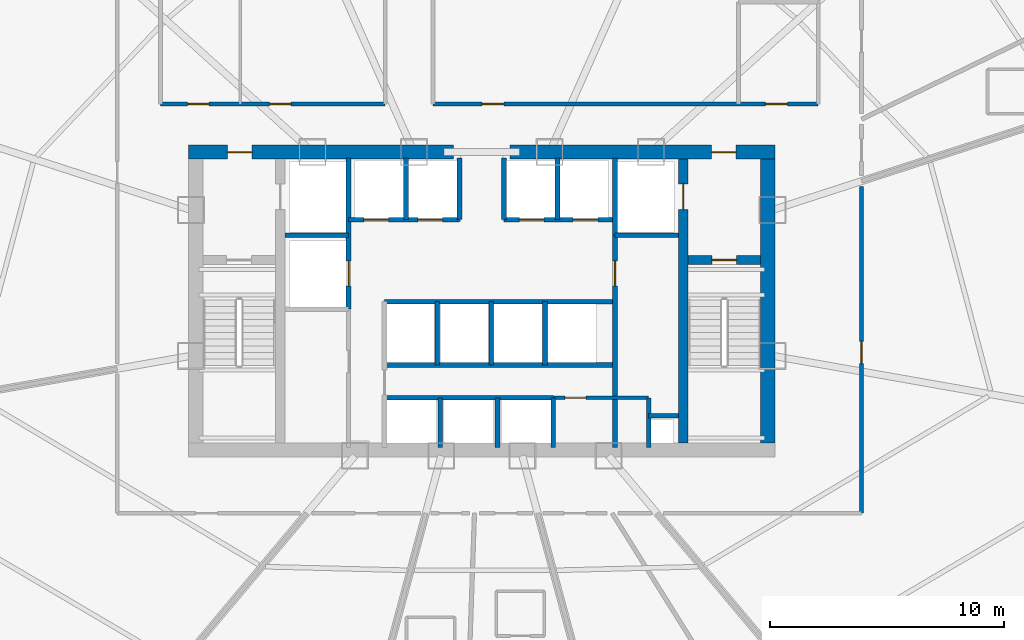
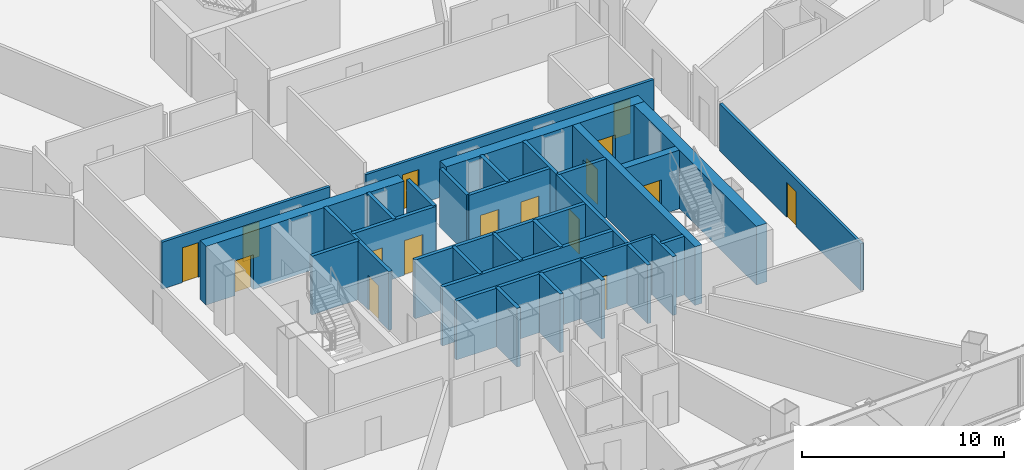
# One storey, part 30 of 37: 31 walls, 16 doors, 16 openings.
"""IFC4 building model written with IfcOpenShell, lengths in metres."""

from ifc_helpers import new_model, si_unit, direction, frame, frame_2d, origin, origin_with_axes, place, context, subcontext, project, spatial, rectangle, extrude, source, transform, mapped, material, layer, layer_set, type_object, element, fill, save


model = new_model("IFC4")

# Units and contexts
model_context = context("Model", 3, precision=1e-05, world=origin(), true_north=direction((0.0, 1.0)))
body_context = subcontext(model_context, "Body", "Model", "MODEL_VIEW")
ifc_project = project(units=[si_unit("LENGTHUNIT", "METRE"), si_unit("AREAUNIT", "SQUARE_METRE"), si_unit("VOLUMEUNIT", "CUBIC_METRE"), si_unit("PLANEANGLEUNIT", "RADIAN"), si_unit("MASSUNIT", "GRAM", prefix="KILO"), si_unit("THERMODYNAMICTEMPERATUREUNIT", "KELVIN"), si_unit("POWERUNIT", "WATT")], contexts=[model_context])

# Site, building, storey
site_placement = place(None, origin())
site = spatial("IfcSite", under=ifc_project, at=site_placement, CompositionType="ELEMENT")
building_placement = place(site_placement, origin())
building = spatial("IfcBuilding", under=site, at=building_placement, Name="Yunzhuo Pagoda Commons", CompositionType="ELEMENT")
storey_placement = place(building_placement, frame((0.0, 0.0, 88.780029296875)))
storey = spatial("IfcBuildingStorey", under=building, at=storey_placement, Name="L22", CompositionType="ELEMENT", Elevation=88.780029296875)

# Wall, opening, door
ifc_material_1 = material(Name="Concrete C60", Category="concrete")
ifc_layer_1 = layer(ifc_material_1, 0.60009765625)
ifc_layer_set_1 = layer_set([ifc_layer_1], Name="Concrete C60")
wall_type_1 = type_object("IfcWallType", Name="W-C02 Mid Core Shear Wall 600", PredefinedType="SHEAR", material=ifc_layer_set_1)
wall_1_placement = place(storey_placement, frame((35.5, 40.199951171875, 0.0), z_axis=(0.0, 0.0, 1.0), x_axis=(1.0, 0.0, 0.0)))
wall_1 = element("IfcWall", 1, at=wall_1_placement, inside=storey, type_object=wall_type_1, Name="L22 core shear wall NW", PredefinedType="SHEAR", context=body_context, shape_type="SweptSolid", body=[
    extrude(rectangle(XDim=11.300048828125, YDim=0.60009765625, at=frame_2d((5.64990234375, 0.0))), origin(), (0.0, 0.0, 1.0), 3.5400390625),
])
opening_1_placement = place(wall_1_placement, frame((1.64990234375, 0.0, 0.0)))
opening_1 = element("IfcOpeningElement", 2, at=opening_1_placement, cuts=wall_1, Name="Opening D-02", PredefinedType="OPENING", context=body_context, shape_type="SweptSolid", body=[
    extrude(rectangle(XDim=1.050048828125, YDim=2.10009765625, at=frame_2d((0.52490234375, 1.050048828125))), frame((0.0, 0.31005859375, 0.0), z_axis=(0.0, -1.0, 0.0), x_axis=(1.0, 0.0, 0.0)), (0.0, 0.0, 1.0), 0.6201171875),
])
ifc_material_2 = material(Name="Galvanized fire-resisting metal leaf")
door_type_1 = type_object("IfcDoorType", Name="D-02 Firefighting Lobby & Refuge Fire Door 1050x2100", OperationType="NOTDEFINED", PredefinedType="DOOR", material=ifc_material_2)
shared_shape_1 = source(origin(), body_context, "Body", "SweptSolid", [
    extrude(rectangle(XDim=1.050048828125, YDim=2.10009765625, at=frame_2d((0.52490234375, 1.050048828125))), frame((0.0, 0.02490234375, 0.0), z_axis=(0.0, -1.0, 0.0), x_axis=(1.0, 0.0, 0.0)), (0.0, 0.0, 1.0), 0.050048828125),
])
door_1_placement = place(opening_1_placement, frame((1.050048828125, 0.0, 0.0), z_axis=(0.0, 0.0, 1.0), x_axis=(-1.0, 0.0, 0.0)))
door_1 = element("IfcDoor", 3, at=door_1_placement, inside=storey, type_object=door_type_1, Name="L22 Firefighting Lobby 1 fire door", OperationType="SINGLE_SWING_LEFT", OverallHeight=2.10009765625, OverallWidth=1.050048828125, PredefinedType="DOOR", context=body_context, shape_type="MappedRepresentation", body=[
    mapped(shared_shape_1, transform((0.0, 0.0, 0.0), scale=1.0)),
])
fill(opening_1, door_1)

wall_2_placement = place(storey_placement, frame((49.199951171875, 40.199951171875, 0.0), z_axis=(0.0, 0.0, 1.0), x_axis=(1.0, 0.0, 0.0)))
wall_2 = element("IfcWall", 4, at=wall_2_placement, inside=storey, type_object=wall_type_1, Name="L22 core shear wall NE", PredefinedType="SHEAR", context=body_context, shape_type="SweptSolid", body=[
    extrude(rectangle(XDim=11.300048828125, YDim=0.60009765625, at=frame_2d((5.64990234375, 0.0))), origin(), (0.0, 0.0, 1.0), 3.5400390625),
])
opening_2_placement = place(wall_2_placement, frame((8.60009765625, 0.0, 0.0)))
opening_2 = element("IfcOpeningElement", 5, at=opening_2_placement, cuts=wall_2, Name="Opening D-02", PredefinedType="OPENING", context=body_context, shape_type="SweptSolid", body=[
    extrude(rectangle(XDim=1.050048828125, YDim=2.10009765625, at=frame_2d((0.52490234375, 1.050048828125))), frame((0.0, 0.31005859375, 0.0), z_axis=(0.0, -1.0, 0.0), x_axis=(1.0, 0.0, 0.0)), (0.0, 0.0, 1.0), 0.6201171875),
])
door_2_placement = place(opening_2_placement, frame((1.050048828125, 0.0, 0.0), z_axis=(0.0, 0.0, 1.0), x_axis=(-1.0, 0.0, 0.0)))
door_2 = element("IfcDoor", 6, at=door_2_placement, inside=storey, type_object=door_type_1, Name="L22 Firefighting Lobby 2 fire door", OperationType="SINGLE_SWING_RIGHT", OverallHeight=2.10009765625, OverallWidth=1.050048828125, PredefinedType="DOOR", context=body_context, shape_type="MappedRepresentation", body=[
    mapped(shared_shape_1, transform((0.0, 0.0, 0.0), scale=1.0)),
])
fill(opening_2, door_2)

# Wall
wall_3_placement = place(storey_placement, frame((60.199951171875, 27.800048828125, 0.0), z_axis=(0.0, 0.0, 1.0), x_axis=(0.0, 1.0, 0.0)))
element("IfcWall", 7, at=wall_3_placement, inside=storey, type_object=wall_type_1, Name="L22 core shear wall E", PredefinedType="SHEAR", context=body_context, shape_type="SweptSolid", body=[
    extrude(rectangle(XDim=12.099853515625, YDim=0.60009765625, at=frame_2d((6.0498046875, 0.0))), origin(), (0.0, 0.0, 1.0), 3.5400390625),
])

# Wall, opening, door
ifc_material_3 = material(Name="Gypsum plasterboard on acoustic stud")
ifc_layer_2 = layer(ifc_material_3, 0.159912109375)
ifc_layer_set_2 = layer_set([ifc_layer_2], Name="Gypsum plasterboard on acoustic stud")
wall_type_2 = type_object("IfcWallType", Name="W-COR1 Tower Rated Corridor Wall 160", PredefinedType="PARTITIONING", material=ifc_layer_set_2)
wall_4_placement = place(storey_placement, frame((51.050048828125, 29.719970703125, 0.0), z_axis=(0.0, 0.0, 1.0), x_axis=(1.0, 0.0, 0.0)))
wall_4 = element("IfcWall", 8, at=wall_4_placement, inside=storey, type_object=wall_type_2, Name="L22 interior wall IW-L22-CSES", PredefinedType="PARTITIONING", context=body_context, shape_type="SweptSolid", body=[
    extrude(rectangle(XDim=4.070068359375, YDim=0.159912109375, at=frame_2d((2.03515625, 0.0))), origin(), (0.0, 0.0, 1.0), 3.5400390625),
])
opening_3_placement = place(wall_4_placement, frame((0.5, 0.0, 0.0)))
opening_3 = element("IfcOpeningElement", 9, at=opening_3_placement, cuts=wall_4, Name="Opening D-03", PredefinedType="OPENING", context=body_context, shape_type="SweptSolid", body=[
    extrude(rectangle(XDim=0.89990234375, YDim=2.10009765625, at=frame_2d((0.449951171875, 1.050048828125))), frame((0.0, 0.08984375, 0.0), z_axis=(0.0, -1.0, 0.0), x_axis=(1.0, 0.0, 0.0)), (0.0, 0.0, 1.0), 0.179931640625),
])
door_type_2 = type_object("IfcDoorType", Name="D-03 Core Service Fire Door 900x2100", OperationType="NOTDEFINED", PredefinedType="DOOR", material=ifc_material_2)
shared_shape_2 = source(origin(), body_context, "Body", "SweptSolid", [
    extrude(rectangle(XDim=0.89990234375, YDim=2.10009765625, at=frame_2d((0.449951171875, 1.050048828125))), frame((0.0, 0.02490234375, 0.0), z_axis=(0.0, -1.0, 0.0), x_axis=(1.0, 0.0, 0.0)), (0.0, 0.0, 1.0), 0.050048828125),
])
door_3_placement = place(opening_3_placement, origin_with_axes())
door_3 = element("IfcDoor", 10, at=door_3_placement, inside=storey, type_object=door_type_2, Name="L22 cleaner store door", OperationType="SINGLE_SWING_LEFT", OverallHeight=2.10009765625, OverallWidth=0.89990234375, PredefinedType="DOOR", context=body_context, shape_type="MappedRepresentation", body=[
    mapped(shared_shape_2, transform((0.0, 0.0, 0.0), scale=1.0)),
])
fill(opening_3, door_3)

# Wall, openings, doors
wall_5_placement = place(storey_placement, frame((34.300048828125, 42.25, 0.0), z_axis=(0.0, 0.0, 1.0), x_axis=(1.0, 0.0, 0.0)))
wall_5 = element("IfcWall", 11, at=wall_5_placement, inside=storey, type_object=wall_type_2, Name="L22 interior wall IW-L22-ISLWS", PredefinedType="PARTITIONING", context=body_context, shape_type="SweptSolid", body=[
    extrude(rectangle(XDim=9.579833984375, YDim=0.159912109375, at=frame_2d((4.7900390625, 0.0))), origin(), (0.0, 0.0, 1.0), 2.840087890625),
])
opening_4_placement = place(wall_5_placement, frame((1.14990234375, 0.0, 0.0)))
opening_4 = element("IfcOpeningElement", 12, at=opening_4_placement, cuts=wall_5, Name="Opening D-04", PredefinedType="OPENING", context=body_context, shape_type="SweptSolid", body=[
    extrude(rectangle(XDim=0.919921875, YDim=2.10009765625, at=frame_2d((0.4599609375, 1.050048828125))), frame((0.0, 0.08984375, 0.0), z_axis=(0.0, -1.0, 0.0), x_axis=(1.0, 0.0, 0.0)), (0.0, 0.0, 1.0), 0.179931640625),
])
opening_5_placement = place(wall_5_placement, frame((4.64990234375, 0.0, 0.0)))
opening_5 = element("IfcOpeningElement", 13, at=opening_5_placement, cuts=wall_5, Name="Opening D-04", PredefinedType="OPENING", context=body_context, shape_type="SweptSolid", body=[
    extrude(rectangle(XDim=0.919921875, YDim=2.10009765625, at=frame_2d((0.4599609375, 1.050048828125))), frame((0.0, 0.08984375, 0.0), z_axis=(0.0, -1.0, 0.0), x_axis=(1.0, 0.0, 0.0)), (0.0, 0.0, 1.0), 0.179931640625),
])
ifc_material_4 = material(Name="Powder-coated aluminium and timber acoustic leaf", Category="wood")
door_type_3 = type_object("IfcDoorType", Name="D-04 Bedroom & Study Interior Door 920x2100", OperationType="NOTDEFINED", PredefinedType="DOOR", material=ifc_material_4)
shared_shape_3 = source(origin(), body_context, "Body", "SweptSolid", [
    extrude(rectangle(XDim=0.919921875, YDim=2.10009765625, at=frame_2d((0.4599609375, 1.050048828125))), frame((0.0, 0.02490234375, 0.0), z_axis=(0.0, -1.0, 0.0), x_axis=(1.0, 0.0, 0.0)), (0.0, 0.0, 1.0), 0.050048828125),
])
door_4_placement = place(opening_4_placement, frame((0.919921875, 0.0, 0.0), z_axis=(0.0, 0.0, 1.0), x_axis=(-1.0, 0.0, 0.0)))
door_4 = element("IfcDoor", 14, at=door_4_placement, inside=storey, type_object=door_type_3, Name="L22 laundry door", OperationType="SINGLE_SWING_LEFT", OverallHeight=2.10009765625, OverallWidth=0.919921875, PredefinedType="DOOR", context=body_context, shape_type="MappedRepresentation", body=[
    mapped(shared_shape_3, transform((0.0, 0.0, 0.0), scale=1.0)),
])
fill(opening_4, door_4)
door_5_placement = place(opening_5_placement, frame((0.919921875, 0.0, 0.0), z_axis=(0.0, 0.0, 1.0), x_axis=(-1.0, 0.0, 0.0)))
door_5 = element("IfcDoor", 15, at=door_5_placement, inside=storey, type_object=door_type_3, Name="L22 study commons W door", OperationType="SINGLE_SWING_RIGHT", OverallHeight=2.10009765625, OverallWidth=0.919921875, PredefinedType="DOOR", context=body_context, shape_type="MappedRepresentation", body=[
    mapped(shared_shape_3, transform((0.0, 0.0, 0.0), scale=1.0)),
])
fill(opening_5, door_5)

wall_6_placement = place(storey_placement, frame((45.919921875, 42.25, 0.0), z_axis=(0.0, 0.0, 1.0), x_axis=(1.0, 0.0, 0.0)))
wall_6 = element("IfcWall", 16, at=wall_6_placement, inside=storey, type_object=wall_type_2, Name="L22 interior wall IW-L22-ISLES", PredefinedType="PARTITIONING", context=body_context, shape_type="SweptSolid", body=[
    extrude(rectangle(XDim=16.43017578125, YDim=0.159912109375, at=frame_2d((8.215087890625, 0.0))), origin(), (0.0, 0.0, 1.0), 2.840087890625),
])
opening_6_placement = place(wall_6_placement, frame((2.10009765625, 0.0, 0.0)))
opening_6 = element("IfcOpeningElement", 17, at=opening_6_placement, cuts=wall_6, Name="Opening D-04", PredefinedType="OPENING", context=body_context, shape_type="SweptSolid", body=[
    extrude(rectangle(XDim=0.919921875, YDim=2.10009765625, at=frame_2d((0.4599609375, 1.050048828125))), frame((0.0, 0.08984375, 0.0), z_axis=(0.0, -1.0, 0.0), x_axis=(1.0, 0.0, 0.0)), (0.0, 0.0, 1.0), 0.179931640625),
])
opening_7_placement = place(wall_6_placement, frame((14.179931640625, 0.0, 0.0)))
opening_7 = element("IfcOpeningElement", 18, at=opening_7_placement, cuts=wall_6, Name="Opening D-11", PredefinedType="OPENING", context=body_context, shape_type="SweptSolid", body=[
    extrude(rectangle(XDim=0.93994140625, YDim=2.10009765625, at=frame_2d((0.469970703125, 1.050048828125))), frame((0.0, 0.08984375, 0.0), z_axis=(0.0, -1.0, 0.0), x_axis=(1.0, 0.0, 0.0)), (0.0, 0.0, 1.0), 0.179931640625),
])
door_type_4 = type_object("IfcDoorType", Name="D-11 Accessible Washroom Fire Door 940x2100", OperationType="NOTDEFINED", PredefinedType="DOOR", material=ifc_material_2)
shared_shape_4 = source(origin(), body_context, "Body", "SweptSolid", [
    extrude(rectangle(XDim=0.93994140625, YDim=2.10009765625, at=frame_2d((0.469970703125, 1.050048828125))), frame((0.0, 0.02490234375, 0.0), z_axis=(0.0, -1.0, 0.0), x_axis=(1.0, 0.0, 0.0)), (0.0, 0.0, 1.0), 0.050048828125),
])
door_6_placement = place(opening_7_placement, frame((0.93994140625, 0.0, 0.0), z_axis=(0.0, 0.0, 1.0), x_axis=(-1.0, 0.0, 0.0)))
door_6 = element("IfcDoor", 19, at=door_6_placement, inside=storey, type_object=door_type_4, Name="L22 accessible WC door", OperationType="SINGLE_SWING_RIGHT", OverallHeight=2.10009765625, OverallWidth=0.93994140625, PredefinedType="DOOR", context=body_context, shape_type="MappedRepresentation", body=[
    mapped(shared_shape_4, transform((0.0, 0.0, 0.0), scale=1.0)),
])
fill(opening_7, door_6)
door_7_placement = place(opening_6_placement, frame((0.919921875, 0.0, 0.0), z_axis=(0.0, 0.0, 1.0), x_axis=(-1.0, 0.0, 0.0)))
door_7 = element("IfcDoor", 20, at=door_7_placement, inside=storey, type_object=door_type_3, Name="L22 reading commons door", OperationType="SINGLE_SWING_LEFT", OverallHeight=2.10009765625, OverallWidth=0.919921875, PredefinedType="DOOR", context=body_context, shape_type="MappedRepresentation", body=[
    mapped(shared_shape_3, transform((0.0, 0.0, 0.0), scale=1.0)),
])
fill(opening_6, door_7)

# Wall, opening, door
wall_7_placement = place(storey_placement, frame((64.199951171875, 38.743896484375, 0.0), z_axis=(0.0, 0.0, 1.0), x_axis=(0.0, -1.0, 0.0)))
wall_7 = element("IfcWall", 21, at=wall_7_placement, inside=storey, type_object=wall_type_2, Name="L22 interior wall IW-L22-CWL14", PredefinedType="PARTITIONING", context=body_context, shape_type="SweptSolid", body=[
    extrude(rectangle(XDim=13.94384765625, YDim=0.159912109375, at=frame_2d((6.971923828125, 0.0))), origin(), (0.0, 0.0, 1.0), 2.840087890625),
])
opening_8_placement = place(wall_7_placement, frame((6.616943359375, 0.0, 0.0)))
opening_8 = element("IfcOpeningElement", 22, at=opening_8_placement, cuts=wall_7, Name="Opening D-06", PredefinedType="OPENING", context=body_context, shape_type="SweptSolid", body=[
    extrude(rectangle(XDim=0.949951171875, YDim=2.10009765625, at=frame_2d((0.47509765625, 1.050048828125))), frame((0.0, 0.08984375, 0.0), z_axis=(0.0, -1.0, 0.0), x_axis=(1.0, 0.0, 0.0)), (0.0, 0.0, 1.0), 0.179931640625),
])
door_type_5 = type_object("IfcDoorType", Name="D-06 Co-Living Suite Entrance Fire Door 950x2100", OperationType="NOTDEFINED", PredefinedType="DOOR", material=ifc_material_2)
shared_shape_5 = source(origin(), body_context, "Body", "SweptSolid", [
    extrude(rectangle(XDim=0.949951171875, YDim=2.10009765625, at=frame_2d((0.47509765625, 1.050048828125))), frame((0.0, 0.02490234375, 0.0), z_axis=(0.0, -1.0, 0.0), x_axis=(1.0, 0.0, 0.0)), (0.0, 0.0, 1.0), 0.050048828125),
])
door_8_placement = place(opening_8_placement, origin_with_axes())
door_8 = element("IfcDoor", 23, at=door_8_placement, inside=storey, type_object=door_type_5, Name="L22 Resident Co-Living Commons Hall door", OperationType="SINGLE_SWING_LEFT", OverallHeight=2.10009765625, OverallWidth=0.949951171875, PredefinedType="DOOR", context=body_context, shape_type="MappedRepresentation", body=[
    mapped(shared_shape_5, transform((0.0, 0.0, 0.0), scale=1.0)),
])
fill(opening_8, door_8)

ifc_layer_3 = layer(ifc_material_1, 0.39990234375)
ifc_layer_set_3 = layer_set([ifc_layer_3], Name="Concrete C60")
wall_type_3 = type_object("IfcWallType", Name="W-S01 Internal Core Shear Web 400", PredefinedType="SHEAR", material=ifc_layer_set_3)
wall_8_placement = place(storey_placement, frame((56.60009765625, 27.800048828125, 0.0), z_axis=(0.0, 0.0, 1.0), x_axis=(0.0, 1.0, 0.0)))
wall_8 = element("IfcWall", 24, at=wall_8_placement, inside=storey, type_object=wall_type_3, Name="L22 core shear wall WEBE", PredefinedType="SHEAR", context=body_context, shape_type="SweptSolid", body=[
    extrude(rectangle(XDim=12.099853515625, YDim=0.39990234375, at=frame_2d((6.0498046875, 0.0))), origin(), (0.0, 0.0, 1.0), 3.5400390625),
])
opening_9_placement = place(wall_8_placement, frame((9.949951171875, 0.0, 0.0)))
opening_9 = element("IfcOpeningElement", 25, at=opening_9_placement, cuts=wall_8, Name="Opening LD-01", PredefinedType="OPENING", context=body_context, shape_type="SweptSolid", body=[
    extrude(rectangle(XDim=1.10009765625, YDim=2.10009765625, at=frame_2d((0.550048828125, 1.050048828125))), frame((0.0, 0.2099609375, 0.0), z_axis=(0.0, -1.0, 0.0), x_axis=(1.0, 0.0, 0.0)), (0.0, 0.0, 1.0), 0.419921875),
])
door_type_6 = type_object("IfcDoorType", Name="LD-01 Firefighting Lift Landing Door 1100x2100", OperationType="DOUBLE_DOOR_SLIDING", PredefinedType="DOOR", material=ifc_material_2)
shared_shape_6 = source(origin(), body_context, "Body", "SweptSolid", [
    extrude(rectangle(XDim=1.10009765625, YDim=2.10009765625, at=frame_2d((0.550048828125, 1.050048828125))), frame((0.0, 0.02490234375, 0.0), z_axis=(0.0, -1.0, 0.0), x_axis=(1.0, 0.0, 0.0)), (0.0, 0.0, 1.0), 0.050048828125),
])
door_9_placement = place(opening_9_placement, origin_with_axes())
door_9 = element("IfcDoor", 26, at=door_9_placement, inside=storey, type_object=door_type_6, Name="L22 Firefighting lift FL-2 landing door", OperationType="DOUBLE_DOOR_SLIDING", OverallHeight=2.10009765625, OverallWidth=1.10009765625, PredefinedType="DOOR", context=body_context, shape_type="MappedRepresentation", body=[
    mapped(shared_shape_6, transform((0.0, 0.0, 0.0), scale=1.0)),
])
fill(opening_9, door_9)

wall_9_placement = place(storey_placement, frame((56.800048828125, 35.60009765625, 0.0), z_axis=(0.0, 0.0, 1.0), x_axis=(1.0, 0.0, 0.0)))
wall_9 = element("IfcWall", 27, at=wall_9_placement, inside=storey, type_object=wall_type_3, Name="L22 core shear wall STE", PredefinedType="SHEAR", context=body_context, shape_type="SweptSolid", body=[
    extrude(rectangle(XDim=3.099853515625, YDim=0.39990234375, at=frame_2d((1.5498046875, 0.0))), origin(), (0.0, 0.0, 1.0), 3.5400390625),
])
opening_10_placement = place(wall_9_placement, frame((1.02001953125, 0.0, 0.0)))
opening_10 = element("IfcOpeningElement", 28, at=opening_10_placement, cuts=wall_9, Name="Opening D-01", PredefinedType="OPENING", context=body_context, shape_type="SweptSolid", body=[
    extrude(rectangle(XDim=1.050048828125, YDim=2.10009765625, at=frame_2d((0.52490234375, 1.050048828125))), frame((0.0, 0.2099609375, 0.0), z_axis=(0.0, -1.0, 0.0), x_axis=(1.0, 0.0, 0.0)), (0.0, 0.0, 1.0), 0.419921875),
])
door_type_7 = type_object("IfcDoorType", Name="D-01 Smokeproof Stair Fire Door 1050x2100", OperationType="NOTDEFINED", PredefinedType="DOOR", material=ifc_material_2)
door_10_placement = place(opening_10_placement, frame((1.050048828125, 0.0, 0.0), z_axis=(0.0, 0.0, 1.0), x_axis=(-1.0, 0.0, 0.0)))
door_10 = element("IfcDoor", 29, at=door_10_placement, inside=storey, type_object=door_type_7, Name="L22 Stair ST2 fire door", OperationType="SINGLE_SWING_RIGHT", OverallHeight=2.10009765625, OverallWidth=1.050048828125, PredefinedType="DOOR", context=body_context, shape_type="MappedRepresentation", body=[
    mapped(shared_shape_1, transform((0.0, 0.0, 0.0), scale=1.0)),
])
fill(opening_10, door_10)

ifc_material_5 = material(Name="Concrete C40", Category="concrete")
ifc_layer_4 = layer(ifc_material_5, 0.199951171875)
ifc_layer_set_4 = layer_set([ifc_layer_4], Name="Concrete C40")
wall_type_4 = type_object("IfcWallType", Name="W-SHF Shaft & Stair Enclosure Wall 200", PredefinedType="SOLIDWALL", material=ifc_layer_set_4)
wall_10_placement = place(storey_placement, frame((42.320068359375, 33.5, 0.0), z_axis=(0.0, 0.0, 1.0), x_axis=(0.0, 1.0, 0.0)))
wall_10 = element("IfcWall", 30, at=wall_10_placement, inside=storey, type_object=wall_type_4, Name="L22 interior wall IW-L22-FL1E", PredefinedType="SOLIDWALL", context=body_context, shape_type="SweptSolid", body=[
    extrude(rectangle(XDim=6.449951171875, YDim=0.199951171875, at=frame_2d((3.22509765625, 0.0))), origin(), (0.0, 0.0, 1.0), 3.5400390625),
])
opening_11_placement = place(wall_10_placement, frame((1.0, 0.0, 0.0)))
opening_11 = element("IfcOpeningElement", 31, at=opening_11_placement, cuts=wall_10, Name="Opening LD-02", PredefinedType="OPENING", context=body_context, shape_type="SweptSolid", body=[
    extrude(rectangle(XDim=1.050048828125, YDim=2.10009765625, at=frame_2d((0.52490234375, 1.050048828125))), frame((0.0, 0.10986328125, 0.0), z_axis=(0.0, -1.0, 0.0), x_axis=(1.0, 0.0, 0.0)), (0.0, 0.0, 1.0), 0.219970703125),
])
door_type_8 = type_object("IfcDoorType", Name="LD-02 Passenger Lift Landing Door 1050x2100", OperationType="DOUBLE_DOOR_SLIDING", PredefinedType="DOOR", material=ifc_material_2)
door_11_placement = place(opening_11_placement, origin_with_axes())
door_11 = element("IfcDoor", 32, at=door_11_placement, inside=storey, type_object=door_type_8, Name="L22 Service lift SL-1 landing door", OperationType="DOUBLE_DOOR_SLIDING", OverallHeight=2.10009765625, OverallWidth=1.050048828125, PredefinedType="DOOR", context=body_context, shape_type="MappedRepresentation", body=[
    mapped(shared_shape_1, transform((0.0, 0.0, 0.0), scale=1.0)),
])
fill(opening_11, door_11)

# Walls
wall_11_placement = place(storey_placement, frame((39.60009765625, 36.64990234375, 0.0), z_axis=(0.0, 0.0, 1.0), x_axis=(1.0, 0.0, 0.0)))
element("IfcWall", 33, at=wall_11_placement, inside=storey, type_object=wall_type_4, Name="L22 interior wall IW-L22-FL1S", PredefinedType="SOLIDWALL", context=body_context, shape_type="SweptSolid", body=[
    extrude(rectangle(XDim=2.719970703125, YDim=0.199951171875, at=frame_2d((1.35986328125, 0.0))), origin(), (0.0, 0.0, 1.0), 3.5400390625),
])
wall_12_placement = place(storey_placement, frame((53.679931640625, 36.64990234375, 0.0), z_axis=(0.0, 0.0, 1.0), x_axis=(0.0, 1.0, 0.0)))
element("IfcWall", 34, at=wall_12_placement, inside=storey, type_object=wall_type_4, Name="L22 interior wall IW-L22-FL2W", PredefinedType="SOLIDWALL", context=body_context, shape_type="SweptSolid", body=[
    extrude(rectangle(XDim=3.300048828125, YDim=0.199951171875, at=frame_2d((1.64990234375, 0.0))), origin(), (0.0, 0.0, 1.0), 3.5400390625),
])
wall_13_placement = place(storey_placement, frame((53.679931640625, 36.64990234375, 0.0), z_axis=(0.0, 0.0, 1.0), x_axis=(1.0, 0.0, 0.0)))
element("IfcWall", 35, at=wall_13_placement, inside=storey, type_object=wall_type_4, Name="L22 interior wall IW-L22-FL2S", PredefinedType="SOLIDWALL", context=body_context, shape_type="SweptSolid", body=[
    extrude(rectangle(XDim=2.719970703125, YDim=0.199951171875, at=frame_2d((1.35986328125, 0.0))), origin(), (0.0, 0.0, 1.0), 3.5400390625),
])

# Wall, openings, doors
wall_14_placement = place(storey_placement, frame((42.320068359375, 37.320068359375, 0.0), z_axis=(0.0, 0.0, 1.0), x_axis=(1.0, 0.0, 0.0)))
wall_14 = element("IfcWall", 36, at=wall_14_placement, inside=storey, type_object=wall_type_4, Name="L22 interior wall IW-L22-LBNW", PredefinedType="SOLIDWALL", context=body_context, shape_type="SweptSolid", body=[
    extrude(rectangle(XDim=4.72998046875, YDim=0.199951171875, at=frame_2d((2.364990234375, 0.0))), origin(), (0.0, 0.0, 1.0), 3.5400390625),
])
opening_12_placement = place(wall_14_placement, frame((0.64990234375, 0.0, 0.0)))
opening_12 = element("IfcOpeningElement", 37, at=opening_12_placement, cuts=wall_14, Name="Opening LD-02", PredefinedType="OPENING", context=body_context, shape_type="SweptSolid", body=[
    extrude(rectangle(XDim=1.050048828125, YDim=2.10009765625, at=frame_2d((0.52490234375, 1.050048828125))), frame((0.0, 0.10986328125, 0.0), z_axis=(0.0, -1.0, 0.0), x_axis=(1.0, 0.0, 0.0)), (0.0, 0.0, 1.0), 0.219970703125),
])
opening_13_placement = place(wall_14_placement, frame((2.949951171875, 0.0, 0.0)))
opening_13 = element("IfcOpeningElement", 38, at=opening_13_placement, cuts=wall_14, Name="Opening LD-02", PredefinedType="OPENING", context=body_context, shape_type="SweptSolid", body=[
    extrude(rectangle(XDim=1.050048828125, YDim=2.10009765625, at=frame_2d((0.52490234375, 1.050048828125))), frame((0.0, 0.10986328125, 0.0), z_axis=(0.0, -1.0, 0.0), x_axis=(1.0, 0.0, 0.0)), (0.0, 0.0, 1.0), 0.219970703125),
])
door_12_placement = place(opening_12_placement, frame((1.050048828125, 0.0, 0.0), z_axis=(0.0, 0.0, 1.0), x_axis=(-1.0, 0.0, 0.0)))
door_12 = element("IfcDoor", 39, at=door_12_placement, inside=storey, type_object=door_type_8, Name="L22 Passenger lift PL-L1 landing door", OperationType="DOUBLE_DOOR_SLIDING", OverallHeight=2.10009765625, OverallWidth=1.050048828125, PredefinedType="DOOR", context=body_context, shape_type="MappedRepresentation", body=[
    mapped(shared_shape_1, transform((0.0, 0.0, 0.0), scale=1.0)),
])
fill(opening_12, door_12)
door_13_placement = place(opening_13_placement, frame((1.050048828125, 0.0, 0.0), z_axis=(0.0, 0.0, 1.0), x_axis=(-1.0, 0.0, 0.0)))
door_13 = element("IfcDoor", 40, at=door_13_placement, inside=storey, type_object=door_type_8, Name="L22 Passenger lift PL-L2 landing door", OperationType="DOUBLE_DOOR_SLIDING", OverallHeight=2.10009765625, OverallWidth=1.050048828125, PredefinedType="DOOR", context=body_context, shape_type="MappedRepresentation", body=[
    mapped(shared_shape_1, transform((0.0, 0.0, 0.0), scale=1.0)),
])
fill(opening_13, door_13)

wall_15_placement = place(storey_placement, frame((48.949951171875, 37.320068359375, 0.0), z_axis=(0.0, 0.0, 1.0), x_axis=(1.0, 0.0, 0.0)))
wall_15 = element("IfcWall", 41, at=wall_15_placement, inside=storey, type_object=wall_type_4, Name="L22 interior wall IW-L22-LBNE", PredefinedType="SOLIDWALL", context=body_context, shape_type="SweptSolid", body=[
    extrude(rectangle(XDim=4.72998046875, YDim=0.199951171875, at=frame_2d((2.364990234375, 0.0))), origin(), (0.0, 0.0, 1.0), 3.5400390625),
])
opening_14_placement = place(wall_15_placement, frame((0.64990234375, 0.0, 0.0)))
opening_14 = element("IfcOpeningElement", 42, at=opening_14_placement, cuts=wall_15, Name="Opening LD-02", PredefinedType="OPENING", context=body_context, shape_type="SweptSolid", body=[
    extrude(rectangle(XDim=1.050048828125, YDim=2.10009765625, at=frame_2d((0.52490234375, 1.050048828125))), frame((0.0, 0.10986328125, 0.0), z_axis=(0.0, -1.0, 0.0), x_axis=(1.0, 0.0, 0.0)), (0.0, 0.0, 1.0), 0.219970703125),
])
opening_15_placement = place(wall_15_placement, frame((2.949951171875, 0.0, 0.0)))
opening_15 = element("IfcOpeningElement", 43, at=opening_15_placement, cuts=wall_15, Name="Opening LD-02", PredefinedType="OPENING", context=body_context, shape_type="SweptSolid", body=[
    extrude(rectangle(XDim=1.050048828125, YDim=2.10009765625, at=frame_2d((0.52490234375, 1.050048828125))), frame((0.0, 0.10986328125, 0.0), z_axis=(0.0, -1.0, 0.0), x_axis=(1.0, 0.0, 0.0)), (0.0, 0.0, 1.0), 0.219970703125),
])
door_14_placement = place(opening_14_placement, frame((1.050048828125, 0.0, 0.0), z_axis=(0.0, 0.0, 1.0), x_axis=(-1.0, 0.0, 0.0)))
door_14 = element("IfcDoor", 44, at=door_14_placement, inside=storey, type_object=door_type_8, Name="L22 Passenger lift PL-L3 landing door", OperationType="DOUBLE_DOOR_SLIDING", OverallHeight=2.10009765625, OverallWidth=1.050048828125, PredefinedType="DOOR", context=body_context, shape_type="MappedRepresentation", body=[
    mapped(shared_shape_1, transform((0.0, 0.0, 0.0), scale=1.0)),
])
fill(opening_14, door_14)
door_15_placement = place(opening_15_placement, frame((1.050048828125, 0.0, 0.0), z_axis=(0.0, 0.0, 1.0), x_axis=(-1.0, 0.0, 0.0)))
door_15 = element("IfcDoor", 45, at=door_15_placement, inside=storey, type_object=door_type_8, Name="L22 Passenger lift PL-L4 landing door", OperationType="DOUBLE_DOOR_SLIDING", OverallHeight=2.10009765625, OverallWidth=1.050048828125, PredefinedType="DOOR", context=body_context, shape_type="MappedRepresentation", body=[
    mapped(shared_shape_1, transform((0.0, 0.0, 0.0), scale=1.0)),
])
fill(opening_15, door_15)

# Walls
for number, where, z_axis, x_axis, name in (
    (46, (47.050048828125, 37.320068359375, 0.0), (0.0, 0.0, 1.0), (0.0, 1.0, 0.0), "L22 interior wall IW-L22-THRW"),
    (47, (48.949951171875, 37.320068359375, 0.0), (0.0, 0.0, 1.0), (0.0, 1.0, 0.0), "L22 interior wall IW-L22-THRE"),
    (48, (44.77001953125, 37.320068359375, 0.0), (0.0, 0.0, 1.0), (0.0, 1.0, 0.0), "L22 interior wall IW-L22-PLL12"),
    (49, (51.22998046875, 37.320068359375, 0.0), (0.0, 0.0, 1.0), (0.0, 1.0, 0.0), "L22 interior wall IW-L22-PLL34"),
):
    element("IfcWall", number, at=place(storey_placement, frame(where, z_axis=z_axis, x_axis=x_axis)), inside=storey, type_object=wall_type_4, Name=name, PredefinedType="SOLIDWALL", context=body_context, shape_type="SweptSolid", body=[
        extrude(rectangle(XDim=2.6298828125, YDim=0.199951171875, at=frame_2d((1.31494140625, 0.0))), origin(), (0.0, 0.0, 1.0), 3.5400390625),
    ])
wall_16_placement = place(storey_placement, frame((43.85009765625, 33.820068359375, 0.0), z_axis=(0.0, 0.0, 1.0), x_axis=(1.0, 0.0, 0.0)))
element("IfcWall", 50, at=wall_16_placement, inside=storey, type_object=wall_type_4, Name="L22 interior wall IW-L22-MLBS", PredefinedType="SOLIDWALL", context=body_context, shape_type="SweptSolid", body=[
    extrude(rectangle(XDim=9.829833984375, YDim=0.199951171875, at=frame_2d((4.9150390625, 0.0))), origin(), (0.0, 0.0, 1.0), 3.5400390625),
])

# Wall, opening, door
wall_17_placement = place(storey_placement, frame((53.679931640625, 27.60009765625, 0.0), z_axis=(0.0, 0.0, 1.0), x_axis=(0.0, 1.0, 0.0)))
wall_17 = element("IfcWall", 51, at=wall_17_placement, inside=storey, type_object=wall_type_4, Name="L22 interior wall IW-L22-PLME", PredefinedType="SOLIDWALL", context=body_context, shape_type="SweptSolid", body=[
    extrude(rectangle(XDim=9.0498046875, YDim=0.199951171875, at=frame_2d((4.52490234375, 0.0))), origin(), (0.0, 0.0, 1.0), 3.5400390625),
])
opening_16_placement = place(wall_17_placement, frame((6.89990234375, 0.0, 0.0)))
opening_16 = element("IfcOpeningElement", 52, at=opening_16_placement, cuts=wall_17, Name="Opening D-02", PredefinedType="OPENING", context=body_context, shape_type="SweptSolid", body=[
    extrude(rectangle(XDim=1.050048828125, YDim=2.10009765625, at=frame_2d((0.52490234375, 1.050048828125))), frame((0.0, 0.10986328125, 0.0), z_axis=(0.0, -1.0, 0.0), x_axis=(1.0, 0.0, 0.0)), (0.0, 0.0, 1.0), 0.219970703125),
])
door_16_placement = place(opening_16_placement, origin_with_axes())
door_16 = element("IfcDoor", 53, at=door_16_placement, inside=storey, type_object=door_type_1, Name="L22 High-bank lift hall door", OperationType="SINGLE_SWING_RIGHT", OverallHeight=2.10009765625, OverallWidth=1.050048828125, PredefinedType="DOOR", context=body_context, shape_type="MappedRepresentation", body=[
    mapped(shared_shape_1, transform((0.0, 0.0, 0.0), scale=1.0)),
])
fill(opening_16, door_16)

# Walls
for number, where, z_axis, x_axis, name in (
    (54, (46.10009765625, 31.1201171875, 0.0), (0.0, 0.0, 1.0), (0.0, 1.0, 0.0), "L22 interior wall IW-L22-PLMD1"),
    (55, (48.39990234375, 31.1201171875, 0.0), (0.0, 0.0, 1.0), (0.0, 1.0, 0.0), "L22 interior wall IW-L22-PLMD2"),
    (56, (50.699951171875, 31.1201171875, 0.0), (0.0, 0.0, 1.0), (0.0, 1.0, 0.0), "L22 interior wall IW-L22-PLMD3"),
):
    element("IfcWall", number, at=place(storey_placement, frame(where, z_axis=z_axis, x_axis=x_axis)), inside=storey, type_object=wall_type_4, Name=name, PredefinedType="SOLIDWALL", context=body_context, shape_type="SweptSolid", body=[
        extrude(rectangle(XDim=2.699951171875, YDim=0.199951171875, at=frame_2d((1.35009765625, 0.0))), origin(), (0.0, 0.0, 1.0), 3.5400390625),
    ])
wall_18_placement = place(storey_placement, frame((43.85009765625, 29.719970703125, 0.0), z_axis=(0.0, 0.0, 1.0), x_axis=(1.0, 0.0, 0.0)))
element("IfcWall", 57, at=wall_18_placement, inside=storey, type_object=wall_type_4, Name="L22 interior wall IW-L22-PLHN", PredefinedType="SOLIDWALL", context=body_context, shape_type="SweptSolid", body=[
    extrude(rectangle(XDim=7.199951171875, YDim=0.199951171875, at=frame_2d((3.60009765625, 0.0))), origin(), (0.0, 0.0, 1.0), 3.5400390625),
])
wall_19_placement = place(storey_placement, frame((51.050048828125, 27.60009765625, 0.0), z_axis=(0.0, 0.0, 1.0), x_axis=(0.0, 1.0, 0.0)))
element("IfcWall", 58, at=wall_19_placement, inside=storey, type_object=wall_type_4, Name="L22 interior wall IW-L22-PLHE", PredefinedType="SOLIDWALL", context=body_context, shape_type="SweptSolid", body=[
    extrude(rectangle(XDim=2.119873046875, YDim=0.199951171875, at=frame_2d((1.06005859375, 0.0))), origin(), (0.0, 0.0, 1.0), 3.5400390625),
])
wall_20_placement = place(storey_placement, frame((43.85009765625, 31.1201171875, 0.0), z_axis=(0.0, 0.0, 1.0), x_axis=(1.0, 0.0, 0.0)))
element("IfcWall", 59, at=wall_20_placement, inside=storey, type_object=wall_type_4, Name="L22 interior wall IW-L22-PLMS2", PredefinedType="SOLIDWALL", context=body_context, shape_type="SweptSolid", body=[
    extrude(rectangle(XDim=9.829833984375, YDim=0.199951171875, at=frame_2d((4.9150390625, 0.0))), origin(), (0.0, 0.0, 1.0), 3.5400390625),
])
for number, where, z_axis, x_axis, name in (
    (60, (46.22509765625, 27.60009765625, 0.0), (0.0, 0.0, 1.0), (0.0, 1.0, 0.0), "L22 interior wall IW-L22-PLHD1"),
    (61, (48.675048828125, 27.60009765625, 0.0), (0.0, 0.0, 1.0), (0.0, 1.0, 0.0), "L22 interior wall IW-L22-PLHD2"),
    (62, (55.1201171875, 27.60009765625, 0.0), (0.0, 0.0, 1.0), (0.0, 1.0, 0.0), "L22 interior wall IW-L22-RSHFW"),
):
    element("IfcWall", number, at=place(storey_placement, frame(where, z_axis=z_axis, x_axis=x_axis)), inside=storey, type_object=wall_type_4, Name=name, PredefinedType="SOLIDWALL", context=body_context, shape_type="SweptSolid", body=[
        extrude(rectangle(XDim=2.119873046875, YDim=0.199951171875, at=frame_2d((1.06005859375, 0.0))), origin(), (0.0, 0.0, 1.0), 3.5400390625),
    ])
wall_21_placement = place(storey_placement, frame((55.1201171875, 28.949951171875, 0.0), z_axis=(0.0, 0.0, 1.0), x_axis=(1.0, 0.0, 0.0)))
element("IfcWall", 63, at=wall_21_placement, inside=storey, type_object=wall_type_4, Name="L22 interior wall IW-L22-RSHFN", PredefinedType="SOLIDWALL", context=body_context, shape_type="SweptSolid", body=[
    extrude(rectangle(XDim=1.27978515625, YDim=0.199951171875, at=frame_2d((0.639892578125, 0.0))), origin(), (0.0, 0.0, 1.0), 3.5400390625),
])

save(model, "model.ifc")
